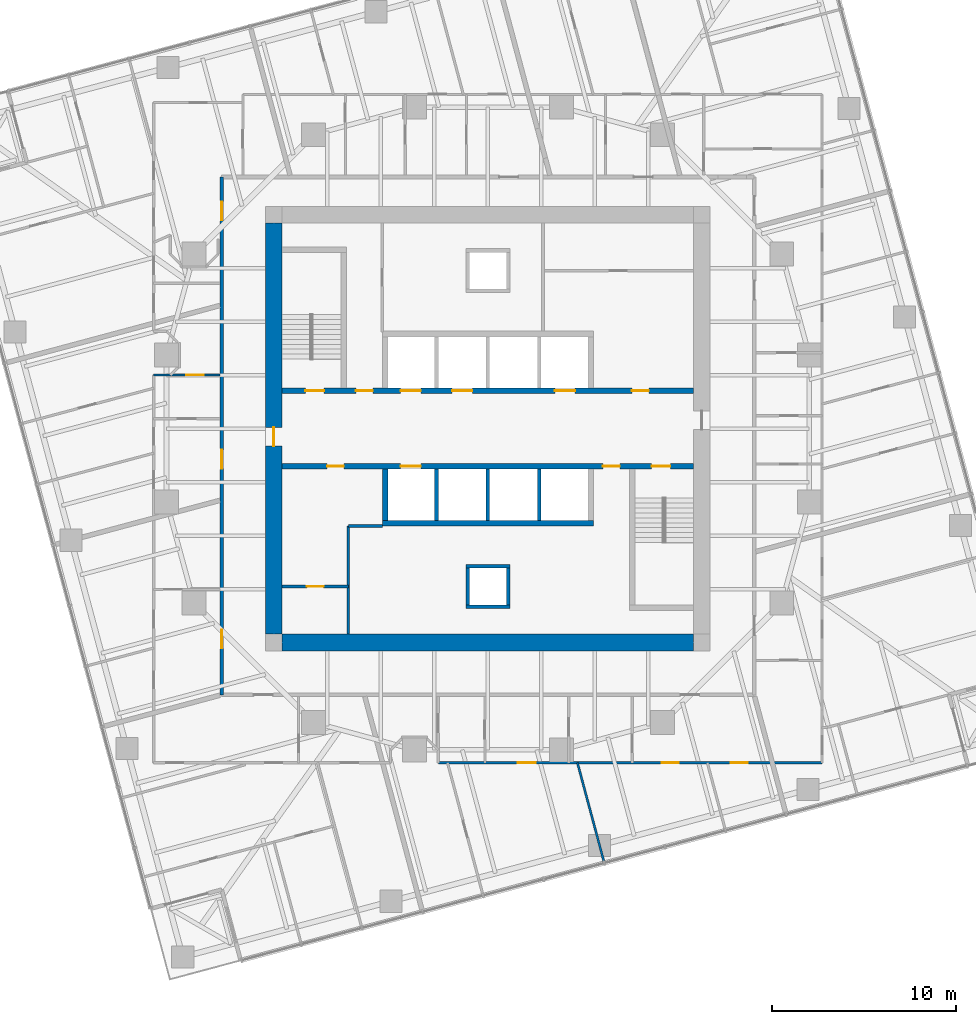
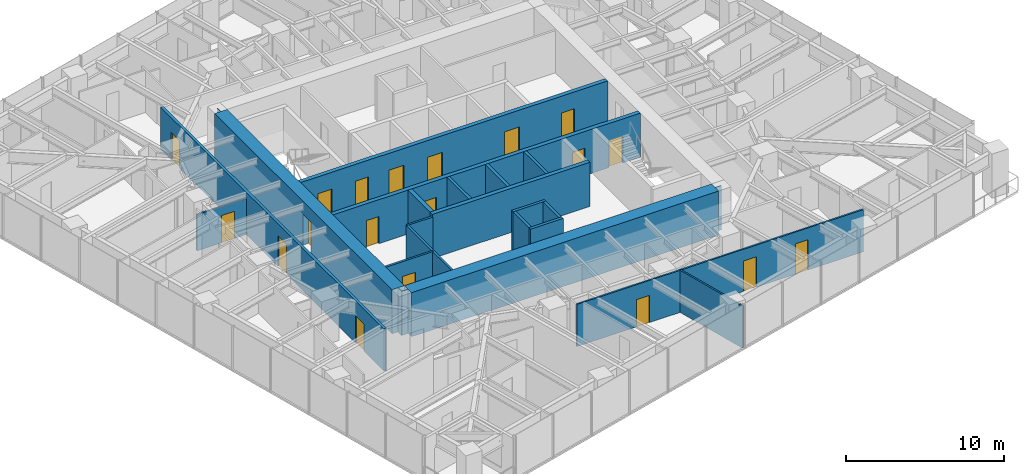
# One storey, part 9 of 15: 20 walls, 19 doors, 19 openings.
"""IFC4 building model written with IfcOpenShell, lengths in metres."""

from ifc_helpers import new_model, si_unit, direction, frame, frame_2d, origin, place, context, subcontext, project, spatial, polyline, rectangle, outline, extrude, material, layer, layer_set, type_object, element, fill, save


model = new_model("IFC4")

# Units and contexts
model_context = context("Model", 3, precision=1e-05, world=origin(), true_north=direction((0.0, 1.0)))
body_context = subcontext(model_context, "Body", "Model", "MODEL_VIEW")
ifc_project = project(units=[si_unit("LENGTHUNIT", "METRE"), si_unit("AREAUNIT", "SQUARE_METRE"), si_unit("VOLUMEUNIT", "CUBIC_METRE"), si_unit("PLANEANGLEUNIT", "RADIAN"), si_unit("MASSUNIT", "GRAM", prefix="KILO")], contexts=[model_context])

# Site, building, storey
site_placement = place(None, origin())
site = spatial("IfcSite", under=ifc_project, at=site_placement, CompositionType="ELEMENT")
building_placement = place(site_placement, origin())
building = spatial("IfcBuilding", under=site, at=building_placement, Name="Torsade Residences", CompositionType="ELEMENT")
storey_placement = place(building_placement, frame((0.0, 0.0, 132.0)))
storey = spatial("IfcBuildingStorey", under=building, at=storey_placement, Name="L36", CompositionType="ELEMENT", Elevation=132.0)

# Wall, openings, doors
ifc_material_1 = material(Name="Concrete 80 MPa", Category="concrete")
ifc_layer_1 = layer(ifc_material_1, 0.300048828125)
ifc_layer_set_1 = layer_set([ifc_layer_1], Name="Concrete 80 MPa")
wall_type_1 = type_object("IfcWallType", Name="CORE INTERNAL WALL 300", PredefinedType="SHEAR", material=ifc_layer_set_1)
wall_1_placement = place(storey_placement, frame((28.800048828125, 32.050048828125, 0.0), z_axis=(0.0, 0.0, 1.0), x_axis=(1.0, 0.0, 0.0)))
wall_1 = element("IfcWall", 1, at=wall_1_placement, inside=storey, type_object=wall_type_1, Name="Core wall LN L36", PredefinedType="SHEAR", context=body_context, shape_type="SweptSolid", body=[
    extrude(rectangle(XDim=22.39990234375, YDim=0.300048828125, at=frame_2d((11.199951171875, 0.0))), origin(), (0.0, 0.0, 1.0), 3.39990234375),
])
opening_1_placement = place(wall_1_placement, frame((19.0400390625, 0.0, 0.0)))
opening_1 = element("IfcOpeningElement", 2, at=opening_1_placement, cuts=wall_1, Name="Opening D06", PredefinedType="OPENING", context=body_context, shape_type="SweptSolid", body=[
    extrude(rectangle(XDim=0.919921875, YDim=2.10009765625, at=frame_2d((0.4599609375, 1.050048828125))), frame((0.0, 0.159912109375, 0.0), z_axis=(0.0, -1.0, 0.0), x_axis=(1.0, 0.0, 0.0)), (0.0, 0.0, 1.0), 0.320068359375),
])
opening_2_placement = place(wall_1_placement, frame((1.264892578125, 0.0, 0.0)))
opening_2 = element("IfcOpeningElement", 3, at=opening_2_placement, cuts=wall_1, Name="Opening D03", PredefinedType="OPENING", context=body_context, shape_type="SweptSolid", body=[
    extrude(rectangle(XDim=1.02001953125, YDim=2.10009765625, at=frame_2d((0.510009765625, 1.050048828125))), frame((0.0, 0.159912109375, 0.0), z_axis=(0.0, -1.0, 0.0), x_axis=(1.0, 0.0, 0.0)), (0.0, 0.0, 1.0), 0.320068359375),
])
opening_3_placement = place(wall_1_placement, frame((4.014892578125, 0.0, 0.0)))
opening_3 = element("IfcOpeningElement", 4, at=opening_3_placement, cuts=wall_1, Name="Opening D06", PredefinedType="OPENING", context=body_context, shape_type="SweptSolid", body=[
    extrude(rectangle(XDim=0.919921875, YDim=2.10009765625, at=frame_2d((0.4599609375, 1.050048828125))), frame((0.0, 0.159912109375, 0.0), z_axis=(0.0, -1.0, 0.0), x_axis=(1.0, 0.0, 0.0)), (0.0, 0.0, 1.0), 0.320068359375),
])
opening_4_placement = place(wall_1_placement, frame((6.449951171875, 0.0, 0.0)))
opening_4 = element("IfcOpeningElement", 5, at=opening_4_placement, cuts=wall_1, Name="Opening LD", PredefinedType="OPENING", context=body_context, shape_type="SweptSolid", body=[
    extrude(rectangle(XDim=1.10009765625, YDim=2.10009765625, at=frame_2d((0.550048828125, 1.050048828125))), frame((0.0, 0.159912109375, 0.0), z_axis=(0.0, -1.0, 0.0), x_axis=(1.0, 0.0, 0.0)), (0.0, 0.0, 1.0), 0.320068359375),
])
opening_5_placement = place(wall_1_placement, frame((9.25, 0.0, 0.0)))
opening_5 = element("IfcOpeningElement", 6, at=opening_5_placement, cuts=wall_1, Name="Opening LD", PredefinedType="OPENING", context=body_context, shape_type="SweptSolid", body=[
    extrude(rectangle(XDim=1.10009765625, YDim=2.10009765625, at=frame_2d((0.550048828125, 1.050048828125))), frame((0.0, 0.159912109375, 0.0), z_axis=(0.0, -1.0, 0.0), x_axis=(1.0, 0.0, 0.0)), (0.0, 0.0, 1.0), 0.320068359375),
])
opening_6_placement = place(wall_1_placement, frame((14.85009765625, 0.0, 0.0)))
opening_6 = element("IfcOpeningElement", 7, at=opening_6_placement, cuts=wall_1, Name="Opening LD", PredefinedType="OPENING", context=body_context, shape_type="SweptSolid", body=[
    extrude(rectangle(XDim=1.10009765625, YDim=2.10009765625, at=frame_2d((0.550048828125, 1.050048828125))), frame((0.0, 0.159912109375, 0.0), z_axis=(0.0, -1.0, 0.0), x_axis=(1.0, 0.0, 0.0)), (0.0, 0.0, 1.0), 0.320068359375),
])
ifc_material_2 = material(Name="Steel-framed fire door", Category="steel")
door_type_1 = type_object("IfcDoorType", Name="FIRE DOOR 1020", OperationType="NOTDEFINED", PredefinedType="DOOR", material=ifc_material_2)
door_1_placement = place(opening_2_placement, origin())
door_1 = element("IfcDoor", 8, at=door_1_placement, inside=storey, type_object=door_type_1, Name="Exit door to fire-isolated stair ST1 L36", OperationType="SINGLE_SWING_RIGHT", OverallHeight=2.10009765625, OverallWidth=1.02001953125, PredefinedType="DOOR", context=body_context, shape_type="SweptSolid", body=[
    extrude(rectangle(XDim=1.02001953125, YDim=2.10009765625, at=frame_2d((0.510009765625, 1.050048828125))), frame((0.0, 0.02490234375, 0.0), z_axis=(0.0, -1.0, 0.0), x_axis=(1.0, 0.0, 0.0)), (0.0, 0.0, 1.0), 0.050048828125),
])
fill(opening_2, door_1)
ifc_material_3 = material(Name="Steel-framed fire door", Category="steel")
door_type_2 = type_object("IfcDoorType", Name="FIRE DOOR 920", OperationType="NOTDEFINED", PredefinedType="DOOR", material=ifc_material_3)
door_2_placement = place(opening_1_placement, origin())
door_2 = element("IfcDoor", 9, at=door_2_placement, inside=storey, type_object=door_type_2, Name="Door Lift lobby to Refuse room", OperationType="SINGLE_SWING_LEFT", OverallHeight=2.10009765625, OverallWidth=0.919921875, PredefinedType="DOOR", context=body_context, shape_type="SweptSolid", body=[
    extrude(rectangle(XDim=0.919921875, YDim=2.10009765625, at=frame_2d((0.4599609375, 1.050048828125))), frame((0.0, 0.02490234375, 0.0), z_axis=(0.0, -1.0, 0.0), x_axis=(1.0, 0.0, 0.0)), (0.0, 0.0, 1.0), 0.050048828125),
])
fill(opening_1, door_2)
door_3_placement = place(opening_3_placement, origin())
door_3 = element("IfcDoor", 10, at=door_3_placement, inside=storey, type_object=door_type_2, Name="Door Lift lobby to Meter store", OperationType="SINGLE_SWING_LEFT", OverallHeight=2.10009765625, OverallWidth=0.919921875, PredefinedType="DOOR", context=body_context, shape_type="SweptSolid", body=[
    extrude(rectangle(XDim=0.919921875, YDim=2.10009765625, at=frame_2d((0.4599609375, 1.050048828125))), frame((0.0, 0.02490234375, 0.0), z_axis=(0.0, -1.0, 0.0), x_axis=(1.0, 0.0, 0.0)), (0.0, 0.0, 1.0), 0.050048828125),
])
fill(opening_3, door_3)
ifc_material_4 = material(Name="Stainless steel lift landing door", Category="steel")
door_type_3 = type_object("IfcDoorType", Name="LIFT LANDING DOOR 1100", OperationType="SLIDING_TO_LEFT", PredefinedType="DOOR", material=ifc_material_4)
door_4_placement = place(opening_4_placement, origin())
door_4 = element("IfcDoor", 11, at=door_4_placement, inside=storey, type_object=door_type_3, Name="Lift LA1 landing door L36", OperationType="SLIDING_TO_LEFT", OverallHeight=2.10009765625, OverallWidth=1.10009765625, PredefinedType="DOOR", context=body_context, shape_type="SweptSolid", body=[
    extrude(rectangle(XDim=1.10009765625, YDim=2.10009765625, at=frame_2d((0.550048828125, 1.050048828125))), frame((0.0, 0.02490234375, 0.0), z_axis=(0.0, -1.0, 0.0), x_axis=(1.0, 0.0, 0.0)), (0.0, 0.0, 1.0), 0.050048828125),
])
fill(opening_4, door_4)
door_5_placement = place(opening_5_placement, origin())
door_5 = element("IfcDoor", 12, at=door_5_placement, inside=storey, type_object=door_type_3, Name="Lift LA2 landing door L36", OperationType="SLIDING_TO_LEFT", OverallHeight=2.10009765625, OverallWidth=1.10009765625, PredefinedType="DOOR", context=body_context, shape_type="SweptSolid", body=[
    extrude(rectangle(XDim=1.10009765625, YDim=2.10009765625, at=frame_2d((0.550048828125, 1.050048828125))), frame((0.0, 0.02490234375, 0.0), z_axis=(0.0, -1.0, 0.0), x_axis=(1.0, 0.0, 0.0)), (0.0, 0.0, 1.0), 0.050048828125),
])
fill(opening_5, door_5)
door_6_placement = place(opening_6_placement, origin())
door_6 = element("IfcDoor", 13, at=door_6_placement, inside=storey, type_object=door_type_3, Name="Lift FL1 landing door L36", OperationType="SLIDING_TO_LEFT", OverallHeight=2.10009765625, OverallWidth=1.10009765625, PredefinedType="DOOR", context=body_context, shape_type="SweptSolid", body=[
    extrude(rectangle(XDim=1.10009765625, YDim=2.10009765625, at=frame_2d((0.550048828125, 1.050048828125))), frame((0.0, 0.02490234375, 0.0), z_axis=(0.0, -1.0, 0.0), x_axis=(1.0, 0.0, 0.0)), (0.0, 0.0, 1.0), 0.050048828125),
])
fill(opening_6, door_6)

wall_2_placement = place(storey_placement, frame((51.199951171875, 27.949951171875, 0.0), z_axis=(0.0, 0.0, 1.0), x_axis=(-1.0, 0.0, 0.0)))
wall_2 = element("IfcWall", 14, at=wall_2_placement, inside=storey, type_object=wall_type_1, Name="Core wall LS L36", PredefinedType="SHEAR", context=body_context, shape_type="SweptSolid", body=[
    extrude(rectangle(XDim=22.39990234375, YDim=0.300048828125, at=frame_2d((11.199951171875, 0.0))), origin(), (0.0, 0.0, 1.0), 3.39990234375),
])
opening_7_placement = place(wall_2_placement, frame((19.0400390625, 0.0, 0.0)))
opening_7 = element("IfcOpeningElement", 15, at=opening_7_placement, cuts=wall_2, Name="Opening D06", PredefinedType="OPENING", context=body_context, shape_type="SweptSolid", body=[
    extrude(rectangle(XDim=0.919921875, YDim=2.10009765625, at=frame_2d((0.4599609375, 1.050048828125))), frame((0.0, 0.159912109375, 0.0), z_axis=(0.0, -1.0, 0.0), x_axis=(1.0, 0.0, 0.0)), (0.0, 0.0, 1.0), 0.320068359375),
])
opening_8_placement = place(wall_2_placement, frame((1.264892578125, 0.0, 0.0)))
opening_8 = element("IfcOpeningElement", 16, at=opening_8_placement, cuts=wall_2, Name="Opening D03", PredefinedType="OPENING", context=body_context, shape_type="SweptSolid", body=[
    extrude(rectangle(XDim=1.02001953125, YDim=2.10009765625, at=frame_2d((0.510009765625, 1.050048828125))), frame((0.0, 0.159912109375, 0.0), z_axis=(0.0, -1.0, 0.0), x_axis=(1.0, 0.0, 0.0)), (0.0, 0.0, 1.0), 0.320068359375),
])
opening_9_placement = place(wall_2_placement, frame((4.014892578125, 0.0, 0.0)))
opening_9 = element("IfcOpeningElement", 17, at=opening_9_placement, cuts=wall_2, Name="Opening D06", PredefinedType="OPENING", context=body_context, shape_type="SweptSolid", body=[
    extrude(rectangle(XDim=0.919921875, YDim=2.10009765625, at=frame_2d((0.4599609375, 1.050048828125))), frame((0.0, 0.159912109375, 0.0), z_axis=(0.0, -1.0, 0.0), x_axis=(1.0, 0.0, 0.0)), (0.0, 0.0, 1.0), 0.320068359375),
])
opening_10_placement = place(wall_2_placement, frame((14.85009765625, 0.0, 0.0)))
opening_10 = element("IfcOpeningElement", 18, at=opening_10_placement, cuts=wall_2, Name="Opening LD", PredefinedType="OPENING", context=body_context, shape_type="SweptSolid", body=[
    extrude(rectangle(XDim=1.10009765625, YDim=2.10009765625, at=frame_2d((0.550048828125, 1.050048828125))), frame((0.0, 0.159912109375, 0.0), z_axis=(0.0, -1.0, 0.0), x_axis=(1.0, 0.0, 0.0)), (0.0, 0.0, 1.0), 0.320068359375),
])
door_7_placement = place(opening_8_placement, origin())
door_7 = element("IfcDoor", 19, at=door_7_placement, inside=storey, type_object=door_type_1, Name="Exit door to fire-isolated stair ST2 L36", OperationType="SINGLE_SWING_RIGHT", OverallHeight=2.10009765625, OverallWidth=1.02001953125, PredefinedType="DOOR", context=body_context, shape_type="SweptSolid", body=[
    extrude(rectangle(XDim=1.02001953125, YDim=2.10009765625, at=frame_2d((0.510009765625, 1.050048828125))), frame((0.0, 0.02490234375, 0.0), z_axis=(0.0, -1.0, 0.0), x_axis=(1.0, 0.0, 0.0)), (0.0, 0.0, 1.0), 0.050048828125),
])
fill(opening_8, door_7)
door_8_placement = place(opening_7_placement, origin())
door_8 = element("IfcDoor", 20, at=door_8_placement, inside=storey, type_object=door_type_2, Name="Door Lift lobby to Cleaner store", OperationType="SINGLE_SWING_LEFT", OverallHeight=2.10009765625, OverallWidth=0.919921875, PredefinedType="DOOR", context=body_context, shape_type="SweptSolid", body=[
    extrude(rectangle(XDim=0.919921875, YDim=2.10009765625, at=frame_2d((0.4599609375, 1.050048828125))), frame((0.0, 0.02490234375, 0.0), z_axis=(0.0, -1.0, 0.0), x_axis=(1.0, 0.0, 0.0)), (0.0, 0.0, 1.0), 0.050048828125),
])
fill(opening_7, door_8)
door_9_placement = place(opening_9_placement, origin())
door_9 = element("IfcDoor", 21, at=door_9_placement, inside=storey, type_object=door_type_2, Name="Door Lift lobby to Communications riser room", OperationType="SINGLE_SWING_RIGHT", OverallHeight=2.10009765625, OverallWidth=0.919921875, PredefinedType="DOOR", context=body_context, shape_type="SweptSolid", body=[
    extrude(rectangle(XDim=0.919921875, YDim=2.10009765625, at=frame_2d((0.4599609375, 1.050048828125))), frame((0.0, 0.02490234375, 0.0), z_axis=(0.0, -1.0, 0.0), x_axis=(1.0, 0.0, 0.0)), (0.0, 0.0, 1.0), 0.050048828125),
])
fill(opening_9, door_9)
door_10_placement = place(opening_10_placement, origin())
door_10 = element("IfcDoor", 22, at=door_10_placement, inside=storey, type_object=door_type_3, Name="Lift FL2 landing door L36", OperationType="SLIDING_TO_LEFT", OverallHeight=2.10009765625, OverallWidth=1.10009765625, PredefinedType="DOOR", context=body_context, shape_type="SweptSolid", body=[
    extrude(rectangle(XDim=1.10009765625, YDim=2.10009765625, at=frame_2d((0.550048828125, 1.050048828125))), frame((0.0, 0.02490234375, 0.0), z_axis=(0.0, -1.0, 0.0), x_axis=(1.0, 0.0, 0.0)), (0.0, 0.0, 1.0), 0.050048828125),
])
fill(opening_10, door_10)

# Walls
wall_3_placement = place(storey_placement, frame((45.75, 24.85009765625, 0.0), z_axis=(0.0, 0.0, 1.0), x_axis=(-1.0, 0.0, 0.0)))
element("IfcWall", 23, at=wall_3_placement, inside=storey, type_object=wall_type_1, Name="Core wall BS L36", PredefinedType="SHEAR", context=body_context, shape_type="SweptSolid", body=[
    extrude(rectangle(XDim=11.5, YDim=0.300048828125, at=frame_2d((5.75, 0.0))), origin(), (0.0, 0.0, 1.0), 3.39990234375),
])
wall_4_placement = place(storey_placement, frame((34.39990234375, 27.800048828125, 0.0), z_axis=(0.0, 0.0, 1.0), x_axis=(0.0, -1.0, 0.0)))
element("IfcWall", 24, at=wall_4_placement, inside=storey, type_object=wall_type_1, Name="Core wall DS4 L36", PredefinedType="SHEAR", context=body_context, shape_type="SweptSolid", body=[
    extrude(rectangle(XDim=2.800048828125, YDim=0.300048828125, at=frame_2d((1.39990234375, 0.0))), origin(), (0.0, 0.0, 1.0), 3.39990234375),
])
ifc_material_5 = material(Name="Concrete 80 MPa", Category="concrete")
ifc_layer_2 = layer(ifc_material_5, 0.89990234375)
ifc_layer_set_2 = layer_set([ifc_layer_2], Name="Concrete 80 MPa")
wall_type_2 = type_object("IfcWallType", Name="CORE WALL 900", PredefinedType="SHEAR", material=ifc_layer_set_2)
wall_5_placement = place(storey_placement, frame((51.199951171875, 18.35009765625, 0.0), z_axis=(0.0, 0.0, 1.0), x_axis=(-1.0, 0.0, 0.0)))
element("IfcWall", 25, at=wall_5_placement, inside=storey, type_object=wall_type_2, Name="Core wall S L36", PredefinedType="SHEAR", context=body_context, shape_type="SweptSolid", body=[
    extrude(outline(polyline([(0.0, -0.449951171875), (22.39990234375, -0.449951171875), (22.39990234375, -0.02490234375), (22.849853515625, -0.02490234375), (22.849853515625, 0.02490234375), (22.39990234375, 0.02490234375), (22.39990234375, 0.449951171875), (0.0, 0.449951171875), (0.0, 0.02490234375), (-0.449951171875, 0.02490234375), (-0.449951171875, -0.02490234375), (0.0, -0.02490234375), (0.0, -0.449951171875)])), origin(), (0.0, 0.0, 1.0), 3.39990234375),
])

# Wall, opening, door
wall_6_placement = place(storey_placement, frame((28.35009765625, 41.199951171875, 0.0), z_axis=(0.0, 0.0, 1.0), x_axis=(0.0, -1.0, 0.0)))
wall_6 = element("IfcWall", 26, at=wall_6_placement, inside=storey, type_object=wall_type_2, Name="Core wall W L36", PredefinedType="SHEAR", context=body_context, shape_type="SweptSolid", body=[
    extrude(outline(polyline([(0.0, -0.449951171875), (22.39990234375, -0.449951171875), (22.39990234375, -0.02490234375), (22.849853515625, -0.02490234375), (22.849853515625, 0.02490234375), (22.39990234375, 0.02490234375), (22.39990234375, 0.449951171875), (0.0, 0.449951171875), (0.0, 0.02490234375), (-0.449951171875, 0.02490234375), (-0.449951171875, -0.02490234375), (0.0, -0.02490234375), (0.0, -0.449951171875)])), origin(), (0.0, 0.0, 1.0), 3.39990234375),
])
opening_11_placement = place(wall_6_placement, frame((11.139892578125, 0.0, 0.0)))
opening_11 = element("IfcOpeningElement", 27, at=opening_11_placement, cuts=wall_6, Name="Opening D04", PredefinedType="OPENING", context=body_context, shape_type="SweptSolid", body=[
    extrude(rectangle(XDim=1.02001953125, YDim=2.39990234375, at=frame_2d((0.510009765625, 1.199951171875))), frame((0.0, 0.4599609375, 0.0), z_axis=(0.0, -1.0, 0.0), x_axis=(1.0, 0.0, 0.0)), (0.0, 0.0, 1.0), 0.919921875),
])
ifc_material_6 = material(Name="Steel-framed fire door", Category="steel")
door_type_4 = type_object("IfcDoorType", Name="LOBBY SMOKE DOOR 1020x2400", OperationType="NOTDEFINED", PredefinedType="DOOR", material=ifc_material_6)
door_11_placement = place(opening_11_placement, origin())
door_11 = element("IfcDoor", 28, at=door_11_placement, inside=storey, type_object=door_type_4, Name="Lift lobby door W L36", OperationType="SINGLE_SWING_RIGHT", OverallHeight=2.39990234375, OverallWidth=1.02001953125, PredefinedType="DOOR", context=body_context, shape_type="SweptSolid", body=[
    extrude(rectangle(XDim=1.02001953125, YDim=2.39990234375, at=frame_2d((0.510009765625, 1.199951171875))), frame((0.0, 0.02490234375, 0.0), z_axis=(0.0, -1.0, 0.0), x_axis=(1.0, 0.0, 0.0)), (0.0, 0.0, 1.0), 0.050048828125),
])
fill(opening_11, door_11)

# Wall, openings, doors
ifc_material_7 = material(Name="Plasterboard on steel stud", Category="steel")
ifc_layer_3 = layer(ifc_material_7, 0.199951171875)
ifc_layer_set_3 = layer_set([ifc_layer_3], Name="Plasterboard on steel stud")
wall_type_3 = type_object("IfcWallType", Name="CORRIDOR WALL 200", PredefinedType="PARTITIONING", material=ifc_layer_set_3)
wall_7_placement = place(storey_placement, frame((25.5, 43.699951171875, 0.0), z_axis=(0.0, 0.0, 1.0), x_axis=(0.0, -1.0, 0.0)))
wall_7 = element("IfcWall", 29, at=wall_7_placement, inside=storey, type_object=wall_type_3, Name="Corridor wall L36", PredefinedType="PARTITIONING", context=body_context, shape_type="SweptSolid", body=[
    extrude(rectangle(XDim=28.199951171875, YDim=0.199951171875, at=frame_2d((14.10009765625, 0.0))), origin(), (0.0, 0.0, 1.0), 3.25),
])
opening_12_placement = place(wall_7_placement, frame((24.64599609375, 0.0, 0.0)))
opening_12 = element("IfcOpeningElement", 30, at=opening_12_placement, cuts=wall_7, Name="Opening D01L", PredefinedType="OPENING", context=body_context, shape_type="SweptSolid", body=[
    extrude(rectangle(XDim=1.02001953125, YDim=2.10009765625, at=frame_2d((0.510009765625, 1.050048828125))), frame((0.0, 0.10986328125, 0.0), z_axis=(0.0, -1.0, 0.0), x_axis=(1.0, 0.0, 0.0)), (0.0, 0.0, 1.0), 0.219970703125),
])
opening_13_placement = place(wall_7_placement, frame((14.85791015625, 0.0, 0.0)))
opening_13 = element("IfcOpeningElement", 31, at=opening_13_placement, cuts=wall_7, Name="Opening D01", PredefinedType="OPENING", context=body_context, shape_type="SweptSolid", body=[
    extrude(rectangle(XDim=1.02001953125, YDim=2.340087890625, at=frame_2d((0.510009765625, 1.169921875))), frame((0.0, 0.10986328125, 0.0), z_axis=(0.0, -1.0, 0.0), x_axis=(1.0, 0.0, 0.0)), (0.0, 0.0, 1.0), 0.219970703125),
])
opening_14_placement = place(wall_7_placement, frame((1.347412109375, 0.0, 0.0)))
opening_14 = element("IfcOpeningElement", 32, at=opening_14_placement, cuts=wall_7, Name="Opening D01L", PredefinedType="OPENING", context=body_context, shape_type="SweptSolid", body=[
    extrude(rectangle(XDim=1.02001953125, YDim=2.10009765625, at=frame_2d((0.510009765625, 1.050048828125))), frame((0.0, 0.10986328125, 0.0), z_axis=(0.0, -1.0, 0.0), x_axis=(1.0, 0.0, 0.0)), (0.0, 0.0, 1.0), 0.219970703125),
])
ifc_material_8 = material(Name="Solid-core timber fire door", Category="wood")
door_type_5 = type_object("IfcDoorType", Name="APARTMENT ENTRY DOOR 1020x2100", OperationType="NOTDEFINED", PredefinedType="DOOR", material=ifc_material_8)
door_12_placement = place(opening_12_placement, origin())
door_12 = element("IfcDoor", 33, at=door_12_placement, inside=storey, type_object=door_type_5, Name="Door Residential corridor to Kitchen and dining", OperationType="SINGLE_SWING_RIGHT", OverallHeight=2.10009765625, OverallWidth=1.02001953125, PredefinedType="DOOR", context=body_context, shape_type="SweptSolid", body=[
    extrude(rectangle(XDim=1.02001953125, YDim=2.10009765625, at=frame_2d((0.510009765625, 1.050048828125))), frame((0.0, 0.02490234375, 0.0), z_axis=(0.0, -1.0, 0.0), x_axis=(1.0, 0.0, 0.0)), (0.0, 0.0, 1.0), 0.050048828125),
])
fill(opening_12, door_12)
door_13_placement = place(opening_14_placement, origin())
door_13 = element("IfcDoor", 34, at=door_13_placement, inside=storey, type_object=door_type_5, Name="Door Residential corridor to Kitchen and dining", OperationType="SINGLE_SWING_LEFT", OverallHeight=2.10009765625, OverallWidth=1.02001953125, PredefinedType="DOOR", context=body_context, shape_type="SweptSolid", body=[
    extrude(rectangle(XDim=1.02001953125, YDim=2.10009765625, at=frame_2d((0.510009765625, 1.050048828125))), frame((0.0, 0.02490234375, 0.0), z_axis=(0.0, -1.0, 0.0), x_axis=(1.0, 0.0, 0.0)), (0.0, 0.0, 1.0), 0.050048828125),
])
fill(opening_14, door_13)
ifc_material_9 = material(Name="Solid-core timber fire door", Category="wood")
door_type_6 = type_object("IfcDoorType", Name="APARTMENT ENTRY DOOR 1020x2340", OperationType="NOTDEFINED", PredefinedType="DOOR", material=ifc_material_9)
door_14_placement = place(opening_13_placement, origin())
door_14 = element("IfcDoor", 35, at=door_14_placement, inside=storey, type_object=door_type_6, Name="Door Residential corridor to Kitchen and dining", OperationType="SINGLE_SWING_RIGHT", OverallHeight=2.340087890625, OverallWidth=1.02001953125, PredefinedType="DOOR", context=body_context, shape_type="SweptSolid", body=[
    extrude(rectangle(XDim=1.02001953125, YDim=2.340087890625, at=frame_2d((0.510009765625, 1.169921875))), frame((0.0, 0.02490234375, 0.0), z_axis=(0.0, -1.0, 0.0), x_axis=(1.0, 0.0, 0.0)), (0.0, 0.0, 1.0), 0.050048828125),
])
fill(opening_13, door_14)

# Walls
ifc_material_10 = material(Name="Reinforced blockwork", Category="masonry")
ifc_layer_4 = layer(ifc_material_10, 0.199951171875)
ifc_layer_set_4 = layer_set([ifc_layer_4], Name="Reinforced blockwork")
wall_type_4 = type_object("IfcWallType", Name="LIFT SHAFT DIVIDING WALL 200", PredefinedType="SOLIDWALL", material=ifc_layer_set_4)
for number, where, z_axis, x_axis, name in (
    (36, (42.800048828125, 27.800048828125, 0.0), (0.0, 0.0, 1.0), (0.0, -1.0, 0.0), "Core wall DS1 L36"),
    (37, (40.0, 27.800048828125, 0.0), (0.0, 0.0, 1.0), (0.0, -1.0, 0.0), "Core wall DS2 L36"),
    (38, (37.199951171875, 27.800048828125, 0.0), (0.0, 0.0, 1.0), (0.0, -1.0, 0.0), "Core wall DS3 L36"),
):
    element("IfcWall", number, at=place(storey_placement, frame(where, z_axis=z_axis, x_axis=x_axis)), inside=storey, type_object=wall_type_4, Name=name, PredefinedType="SOLIDWALL", context=body_context, shape_type="SweptSolid", body=[
        extrude(rectangle(XDim=2.800048828125, YDim=0.199951171875, at=frame_2d((1.39990234375, 0.0))), origin(), (0.0, 0.0, 1.0), 3.39990234375),
    ])

# Wall, openings, doors
ifc_material_11 = material(Name="Plasterboard on steel stud", Category="steel")
ifc_layer_5 = layer(ifc_material_11, 0.1201171875)
ifc_layer_set_5 = layer_set([ifc_layer_5], Name="Plasterboard on steel stud")
wall_type_5 = type_object("IfcWallType", Name="PARTITION 120", PredefinedType="PARTITIONING", material=ifc_layer_set_5)
wall_8_placement = place(storey_placement, frame((58.199951171875, 11.800048828125, 0.0), z_axis=(0.0, 0.0, 1.0), x_axis=(-1.0, 0.0, 0.0)))
wall_8 = element("IfcWall", 39, at=wall_8_placement, inside=storey, type_object=wall_type_5, Name="Partition L36", PredefinedType="PARTITIONING", context=body_context, shape_type="SweptSolid", body=[
    extrude(rectangle(XDim=20.899658203125, YDim=0.1201171875, at=frame_2d((10.44970703125, 0.0))), origin(), (0.0, 0.0, 1.0), 3.25),
])
opening_15_placement = place(wall_8_placement, frame((7.807373046875, 0.0, 0.0)))
opening_15 = element("IfcOpeningElement", 40, at=opening_15_placement, cuts=wall_8, Name="Opening D02", PredefinedType="OPENING", context=body_context, shape_type="SweptSolid", body=[
    extrude(rectangle(XDim=0.919921875, YDim=2.340087890625, at=frame_2d((0.4599609375, 1.169921875))), frame((0.0, 0.070068359375, 0.0), z_axis=(0.0, -1.0, 0.0), x_axis=(1.0, 0.0, 0.0)), (0.0, 0.0, 1.0), 0.14013671875),
])
opening_16_placement = place(wall_8_placement, frame((4.046142578125, 0.0, 0.0)))
opening_16 = element("IfcOpeningElement", 41, at=opening_16_placement, cuts=wall_8, Name="Opening D02", PredefinedType="OPENING", context=body_context, shape_type="SweptSolid", body=[
    extrude(rectangle(XDim=0.919921875, YDim=2.340087890625, at=frame_2d((0.4599609375, 1.169921875))), frame((0.0, 0.070068359375, 0.0), z_axis=(0.0, -1.0, 0.0), x_axis=(1.0, 0.0, 0.0)), (0.0, 0.0, 1.0), 0.14013671875),
])
opening_17_placement = place(wall_8_placement, frame((15.601806640625, 0.0, 0.0)))
opening_17 = element("IfcOpeningElement", 42, at=opening_17_placement, cuts=wall_8, Name="Opening D05", PredefinedType="OPENING", context=body_context, shape_type="SweptSolid", body=[
    extrude(rectangle(XDim=0.9599609375, YDim=2.10009765625, at=frame_2d((0.47998046875, 1.050048828125))), frame((0.0, 0.070068359375, 0.0), z_axis=(0.0, -1.0, 0.0), x_axis=(1.0, 0.0, 0.0)), (0.0, 0.0, 1.0), 0.14013671875),
])
ifc_material_12 = material(Name="Hollow-core timber door in a steel cavity frame", Category="steel")
door_type_7 = type_object("IfcDoorType", Name="BATHROOM CAVITY SLIDING DOOR 960", OperationType="SLIDING_TO_LEFT", PredefinedType="DOOR", material=ifc_material_12)
door_15_placement = place(opening_17_placement, origin())
door_15 = element("IfcDoor", 43, at=door_15_placement, inside=storey, type_object=door_type_7, Name="Door Bathroom to Living room", OperationType="SLIDING_TO_LEFT", OverallHeight=2.10009765625, OverallWidth=0.9599609375, PredefinedType="DOOR", context=body_context, shape_type="SweptSolid", body=[
    extrude(rectangle(XDim=0.9599609375, YDim=2.10009765625, at=frame_2d((0.47998046875, 1.050048828125))), frame((0.0, 0.02490234375, 0.0), z_axis=(0.0, -1.0, 0.0), x_axis=(1.0, 0.0, 0.0)), (0.0, 0.0, 1.0), 0.050048828125),
])
fill(opening_17, door_15)
ifc_material_13 = material(Name="Hollow-core timber door", Category="wood")
door_type_8 = type_object("IfcDoorType", Name="INTERNAL DOOR 920x2340", OperationType="NOTDEFINED", PredefinedType="DOOR", material=ifc_material_13)
door_16_placement = place(opening_15_placement, origin())
door_16 = element("IfcDoor", 44, at=door_16_placement, inside=storey, type_object=door_type_8, Name="Door Kitchen and dining to Bedroom 1", OperationType="SINGLE_SWING_LEFT", OverallHeight=2.340087890625, OverallWidth=0.919921875, PredefinedType="DOOR", context=body_context, shape_type="SweptSolid", body=[
    extrude(rectangle(XDim=0.919921875, YDim=2.340087890625, at=frame_2d((0.4599609375, 1.169921875))), frame((0.0, 0.02490234375, 0.0), z_axis=(0.0, -1.0, 0.0), x_axis=(1.0, 0.0, 0.0)), (0.0, 0.0, 1.0), 0.050048828125),
])
fill(opening_15, door_16)
door_17_placement = place(opening_16_placement, origin())
door_17 = element("IfcDoor", 45, at=door_17_placement, inside=storey, type_object=door_type_8, Name="Door Kitchen and dining to Bedroom 3", OperationType="SINGLE_SWING_RIGHT", OverallHeight=2.340087890625, OverallWidth=0.919921875, PredefinedType="DOOR", context=body_context, shape_type="SweptSolid", body=[
    extrude(rectangle(XDim=0.919921875, YDim=2.340087890625, at=frame_2d((0.4599609375, 1.169921875))), frame((0.0, 0.02490234375, 0.0), z_axis=(0.0, -1.0, 0.0), x_axis=(1.0, 0.0, 0.0)), (0.0, 0.0, 1.0), 0.050048828125),
])
fill(opening_16, door_17)

# Wall
wall_9_placement = place(storey_placement, frame((44.876708984375, 11.800048828125, 0.0), z_axis=(0.0, 0.0, 1.0), x_axis=(0.258830937246, -0.96592263972, 0.0)))
element("IfcWall", 46, at=wall_9_placement, inside=storey, type_object=wall_type_5, Name="Partition L36", PredefinedType="PARTITIONING", context=body_context, shape_type="SweptSolid", body=[
    extrude(rectangle(XDim=5.617919921875, YDim=0.1201171875, at=frame_2d((2.80908203125, 0.0))), origin(), (0.0, 0.0, 1.0), 3.25),
])

# Wall, opening, door
wall_10_placement = place(storey_placement, frame((25.39990234375, 32.916015625, 0.0), z_axis=(0.0, 0.0, 1.0), x_axis=(-1.0, 0.0, 0.0)))
wall_10 = element("IfcWall", 47, at=wall_10_placement, inside=storey, type_object=wall_type_5, Name="Partition L36", PredefinedType="PARTITIONING", context=body_context, shape_type="SweptSolid", body=[
    extrude(rectangle(XDim=3.599853515625, YDim=0.1201171875, at=frame_2d((1.7998046875, 0.0))), origin(), (0.0, 0.0, 1.0), 2.7958984375),
])
opening_18_placement = place(wall_10_placement, frame((0.862060546875, 0.0, 0.0)))
opening_18 = element("IfcOpeningElement", 48, at=opening_18_placement, cuts=wall_10, Name="Opening D05", PredefinedType="OPENING", context=body_context, shape_type="SweptSolid", body=[
    extrude(rectangle(XDim=0.9599609375, YDim=2.10009765625, at=frame_2d((0.47998046875, 1.050048828125))), frame((0.0, 0.070068359375, 0.0), z_axis=(0.0, -1.0, 0.0), x_axis=(1.0, 0.0, 0.0)), (0.0, 0.0, 1.0), 0.14013671875),
])
door_18_placement = place(opening_18_placement, origin())
door_18 = element("IfcDoor", 49, at=door_18_placement, inside=storey, type_object=door_type_7, Name="Door Ensuite to Bathroom", OperationType="SLIDING_TO_LEFT", OverallHeight=2.10009765625, OverallWidth=0.9599609375, PredefinedType="DOOR", context=body_context, shape_type="SweptSolid", body=[
    extrude(rectangle(XDim=0.9599609375, YDim=2.10009765625, at=frame_2d((0.47998046875, 1.050048828125))), frame((0.0, 0.02490234375, 0.0), z_axis=(0.0, -1.0, 0.0), x_axis=(1.0, 0.0, 0.0)), (0.0, 0.0, 1.0), 0.050048828125),
])
fill(opening_18, door_18)

# Walls
ifc_material_14 = material(Name="Reinforced blockwork", Category="masonry")
ifc_layer_6 = layer(ifc_material_14, 0.199951171875)
ifc_layer_set_6 = layer_set([ifc_layer_6], Name="Reinforced blockwork")
wall_type_6 = type_object("IfcWallType", Name="RISER SHAFT WALL 200", PredefinedType="SOLIDWALL", material=ifc_layer_set_6)
for number, where, z_axis, x_axis, name in (
    (50, (38.89990234375, 22.39990234375, 0.0), (0.0, 0.0, 1.0), (0.0, -1.0, 0.0), "Core wall RS2a L36"),
    (51, (41.10009765625, 22.39990234375, 0.0), (0.0, 0.0, 1.0), (0.0, -1.0, 0.0), "Core wall RS2b L36"),
):
    element("IfcWall", number, at=place(storey_placement, frame(where, z_axis=z_axis, x_axis=x_axis)), inside=storey, type_object=wall_type_6, Name=name, PredefinedType="SOLIDWALL", context=body_context, shape_type="SweptSolid", body=[
        extrude(rectangle(XDim=2.0, YDim=0.199951171875, at=frame_2d((1.0, 0.0))), origin(), (0.0, 0.0, 1.0), 3.39990234375),
    ])
for number, where, z_axis, x_axis, name in (
    (52, (38.800048828125, 22.5, 0.0), (0.0, 0.0, 1.0), (1.0, 0.0, 0.0), "Core wall RS2c L36"),
    (53, (38.800048828125, 20.300048828125, 0.0), (0.0, 0.0, 1.0), (1.0, 0.0, 0.0), "Core wall RS2d L36"),
):
    element("IfcWall", number, at=place(storey_placement, frame(where, z_axis=z_axis, x_axis=x_axis)), inside=storey, type_object=wall_type_6, Name=name, PredefinedType="SOLIDWALL", context=body_context, shape_type="SweptSolid", body=[
        extrude(rectangle(XDim=2.39990234375, YDim=0.199951171875, at=frame_2d((1.199951171875, 0.0))), origin(), (0.0, 0.0, 1.0), 3.39990234375),
    ])
ifc_material_15 = material(Name="Reinforced blockwork", Category="masonry")
ifc_layer_7 = layer(ifc_material_15, 0.14990234375)
ifc_layer_set_7 = layer_set([ifc_layer_7], Name="Reinforced blockwork")
wall_type_7 = type_object("IfcWallType", Name="SERVICE ROOM WALL 150", PredefinedType="SOLIDWALL", material=ifc_layer_set_7)
wall_11_placement = place(storey_placement, frame((32.39990234375, 18.800048828125, 0.0), z_axis=(0.0, 0.0, 1.0), x_axis=(0.0, 1.0, 0.0)))
element("IfcWall", 54, at=wall_11_placement, inside=storey, type_object=wall_type_7, Name="Service room wall L36", PredefinedType="SOLIDWALL", context=body_context, shape_type="SweptSolid", body=[
    extrude(rectangle(XDim=5.89990234375, YDim=0.14990234375, at=frame_2d((2.949951171875, 0.0))), origin(), (0.0, 0.0, 1.0), 3.25),
])
wall_12_placement = place(storey_placement, frame((32.39990234375, 24.699951171875, 0.0), z_axis=(0.0, 0.0, 1.0), x_axis=(1.0, 0.0, 0.0)))
element("IfcWall", 55, at=wall_12_placement, inside=storey, type_object=wall_type_7, Name="Service room wall L36", PredefinedType="SOLIDWALL", context=body_context, shape_type="SweptSolid", body=[
    extrude(rectangle(XDim=1.85009765625, YDim=0.14990234375, at=frame_2d((0.925048828125, 0.0))), origin(), (0.0, 0.0, 1.0), 3.25),
])

# Wall, opening, door
wall_13_placement = place(storey_placement, frame((32.39990234375, 21.39990234375, 0.0), z_axis=(0.0, 0.0, 1.0), x_axis=(-1.0, 0.0, 0.0)))
wall_13 = element("IfcWall", 56, at=wall_13_placement, inside=storey, type_object=wall_type_7, Name="Service room wall L36", PredefinedType="SOLIDWALL", context=body_context, shape_type="SweptSolid", body=[
    extrude(rectangle(XDim=3.599853515625, YDim=0.14990234375, at=frame_2d((1.7998046875, 0.0))), origin(), (0.0, 0.0, 1.0), 3.25),
])
opening_19_placement = place(wall_13_placement, frame((1.340087890625, 0.0, 0.0)))
opening_19 = element("IfcOpeningElement", 57, at=opening_19_placement, cuts=wall_13, Name="Opening D06", PredefinedType="OPENING", context=body_context, shape_type="SweptSolid", body=[
    extrude(rectangle(XDim=0.919921875, YDim=2.10009765625, at=frame_2d((0.4599609375, 1.050048828125))), frame((0.0, 0.0849609375, 0.0), z_axis=(0.0, -1.0, 0.0), x_axis=(1.0, 0.0, 0.0)), (0.0, 0.0, 1.0), 0.169921875),
])
door_19_placement = place(opening_19_placement, origin())
door_19 = element("IfcDoor", 58, at=door_19_placement, inside=storey, type_object=door_type_2, Name="Door Cleaner store to Hose reel and hydrant store", OperationType="SINGLE_SWING_LEFT", OverallHeight=2.10009765625, OverallWidth=0.919921875, PredefinedType="DOOR", context=body_context, shape_type="SweptSolid", body=[
    extrude(rectangle(XDim=0.919921875, YDim=2.10009765625, at=frame_2d((0.4599609375, 1.050048828125))), frame((0.0, 0.02490234375, 0.0), z_axis=(0.0, -1.0, 0.0), x_axis=(1.0, 0.0, 0.0)), (0.0, 0.0, 1.0), 0.050048828125),
])
fill(opening_19, door_19)

save(model, "model.ifc")
